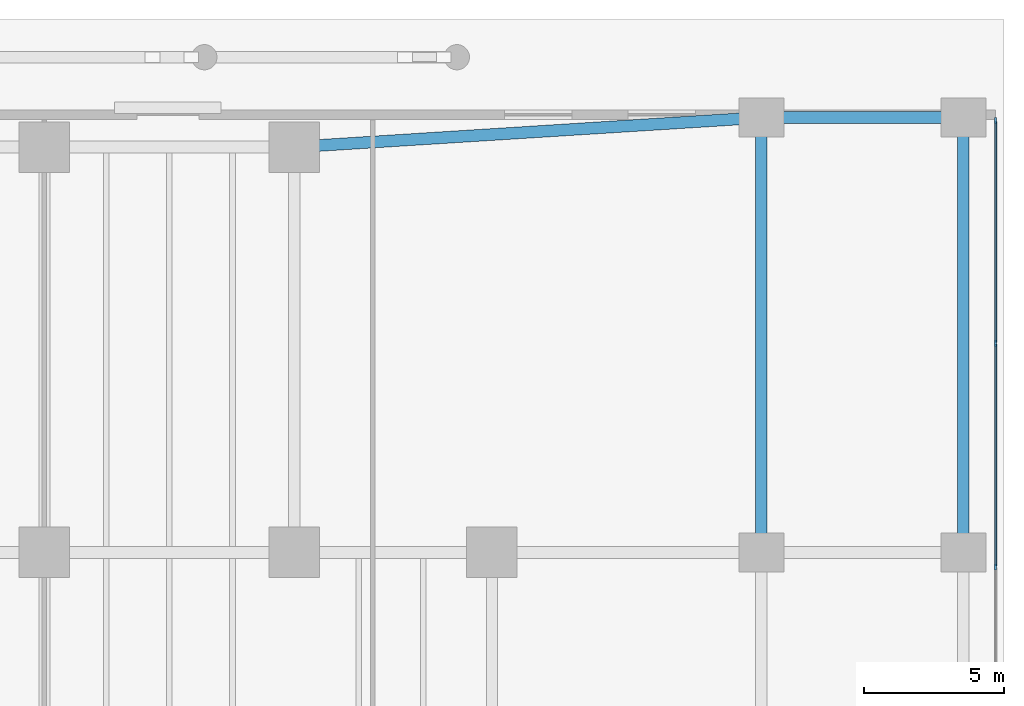
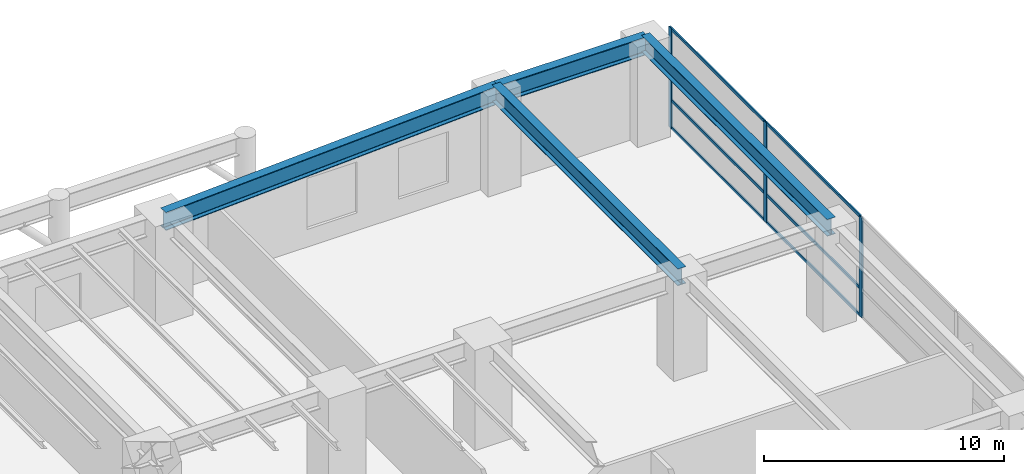
# One storey, part 7 of 19: 9 members, 4 beams, 1 element without a shape of its own.
"""IFC4 building model written with IfcOpenShell, lengths in metres."""

from ifc_helpers import new_model, si_unit, direction, frame, origin, origin_2d, place, context, subcontext, project, spatial, rectangle, i_section, extrude, material, layer, layer_set, material_profile, profile_set, type_object, element, aggregate, save


model = new_model("IFC4")

# Units and contexts
model_context = context("Model", 3, precision=1e-05, world=origin(), true_north=direction((0.0, 1.0)))
body_context = subcontext(model_context, "Body", "Model", "MODEL_VIEW")
ifc_project = project(units=[si_unit("LENGTHUNIT", "METRE"), si_unit("AREAUNIT", "SQUARE_METRE"), si_unit("VOLUMEUNIT", "CUBIC_METRE"), si_unit("PLANEANGLEUNIT", "RADIAN"), si_unit("MASSUNIT", "GRAM", prefix="KILO")], contexts=[model_context])

# Site, building, storey
site_placement = place(None, origin())
site = spatial("IfcSite", under=ifc_project, at=site_placement, CompositionType="ELEMENT")
building_placement = place(site_placement, origin())
building = spatial("IfcBuilding", under=site, at=building_placement, Name="Qalmaran Belvedere Hotel", CompositionType="ELEMENT")
storey_placement = place(building_placement, origin())
storey = spatial("IfcBuildingStorey", under=building, at=storey_placement, Name="L00", CompositionType="ELEMENT", Elevation=0.0)

# Beams
ifc_material_1 = material(Name="Steel S355JR", Category="steel")
ifc_material_profile_1 = material_profile(ifc_material_1, i_section(OverallWidth=0.419921875, OverallDepth=0.9208984375, WebThickness=0.021240234375, FlangeThickness=0.03662109375, FilletRadius=0.02392578125, at=origin_2d()), Name="W920X387")
ifc_profile_set_1 = profile_set([ifc_material_profile_1], Name="Steel S355JR")
beam_type_1 = type_object("IfcBeamType", Name="BM-PG1-W920X387", PredefinedType="USERDEFINED", material=ifc_profile_set_1)
beam_1_placement = place(storey_placement, frame((53.699951171875, 47.449951171875, 4.639404296875), z_axis=(0.998017287437, 0.0629404002, 0.0), x_axis=(-0.0629404002, 0.998017287437, 0.0)))
element("IfcBeam", 1, at=beam_1_placement, inside=storey, type_object=beam_type_1, Name="L00 Podium Primary Girder GX38", ObjectType="GIRDER", PredefinedType="USERDEFINED", context=body_context, shape_type="SweptSolid", body=[
    extrude(i_section(OverallWidth=0.419921875, OverallDepth=0.9208984375, WebThickness=0.021240234375, FlangeThickness=0.03662109375, FilletRadius=0.02392578125, at=origin_2d()), origin(), (0.0, 0.0, 1.0), 16.68310546875),
])
beam_2_placement = place(storey_placement, frame((70.35009765625, 48.5, 4.639404296875), z_axis=(1.0, 0.0, 0.0), x_axis=(0.0, 1.0, 0.0)))
element("IfcBeam", 2, at=beam_2_placement, inside=storey, type_object=beam_type_1, Name="L00 Podium Primary Girder GX39", ObjectType="GIRDER", PredefinedType="USERDEFINED", context=body_context, shape_type="SweptSolid", body=[
    extrude(i_section(OverallWidth=0.419921875, OverallDepth=0.9208984375, WebThickness=0.021240234375, FlangeThickness=0.03662109375, FilletRadius=0.02392578125, at=origin_2d()), origin(), (0.0, 0.0, 1.0), 7.199951171875),
])
ifc_material_profile_2 = material_profile(ifc_material_1, i_section(OverallWidth=0.39990234375, OverallDepth=0.85498046875, WebThickness=0.018310546875, FlangeThickness=0.029296875, FilletRadius=0.02392578125, at=origin_2d()), Name="W840X299")
ifc_profile_set_2 = profile_set([ifc_material_profile_2], Name="Steel S355JR")
beam_type_2 = type_object("IfcBeamType", Name="BM-PG3-W840X299", PredefinedType="USERDEFINED", material=ifc_profile_set_2)
for number, where, z_axis, x_axis, name in (
    (3, (70.35009765625, 33.0, 4.672607421875), (0.0, 1.0, 0.0), (-1.0, 0.0, 0.0), "L00 Podium Transverse Girder GY73"),
    (4, (77.550048828125, 33.0, 4.672607421875), (0.0, 1.0, 0.0), (-1.0, 0.0, 0.0), "L00 Podium Transverse Girder GY76"),
):
    element("IfcBeam", number, at=place(storey_placement, frame(where, z_axis=z_axis, x_axis=x_axis)), inside=storey, type_object=beam_type_2, Name=name, ObjectType="GIRDER", PredefinedType="USERDEFINED", context=body_context, shape_type="SweptSolid", body=[
        extrude(i_section(OverallWidth=0.39990234375, OverallDepth=0.85498046875, WebThickness=0.018310546875, FlangeThickness=0.029296875, FilletRadius=0.02392578125, at=origin_2d()), origin(), (0.0, 0.0, 1.0), 15.5),
    ])

# Curtain wall, members
ifc_material_2 = material(Name="Anodised Bronze Aluminium", Category="aluminium")
ifc_layer = layer(ifc_material_2, 0.219970703125, Name="Anodised Bronze Aluminium")
ifc_layer_set = layer_set([ifc_layer], Name="Anodised Bronze Aluminium")
curtain_wall_type = type_object("IfcCurtainWallType", Name="CW1-PODIUM-BRONZE", PredefinedType="NOTDEFINED", material=ifc_layer_set)
curtain_wall_placement = place(storey_placement, origin())
curtain_wall = element("IfcCurtainWall", 5, at=curtain_wall_placement, inside=storey, type_object=curtain_wall_type, Name="L00 Curtain Wall CW1", PredefinedType="NOTDEFINED")
ifc_material_profile_3 = material_profile(ifc_material_2, rectangle(XDim=0.074951171875, YDim=0.219970703125, at=origin_2d()), Name="CWM75X220")
ifc_profile_set_3 = profile_set([ifc_material_profile_3], Name="Anodised Bronze Aluminium")
member_type_1 = type_object("IfcMemberType", Name="CWM-75X220", PredefinedType="MULLION", material=ifc_profile_set_3)
member_1_placement = place(storey_placement, frame((78.699951171875, 32.486572265625, 0.0), z_axis=(0.0, 0.0, 1.0), x_axis=(-1.0, 0.0, 0.0)))
member_1 = element("IfcMember", 6, at=member_1_placement, type_object=member_type_1, Name="CW1 mullion 5", PredefinedType="MULLION", context=body_context, shape_type="SweptSolid", body=[
    extrude(rectangle(XDim=0.074951171875, YDim=0.219970703125, at=origin_2d()), origin(), (0.0, 0.0, 1.0), 5.10009765625),
])
member_2_placement = place(storey_placement, frame((78.699951171875, 40.458251953125, 0.0), z_axis=(0.0, 0.0, 1.0), x_axis=(-1.0, 0.0, 0.0)))
member_2 = element("IfcMember", 7, at=member_2_placement, type_object=member_type_1, Name="CW1 mullion 6", PredefinedType="MULLION", context=body_context, shape_type="SweptSolid", body=[
    extrude(rectangle(XDim=0.074951171875, YDim=0.219970703125, at=origin_2d()), origin(), (0.0, 0.0, 1.0), 5.10009765625),
])
member_3_placement = place(storey_placement, frame((78.699951171875, 48.392578125, 0.0), z_axis=(0.0, 0.0, 1.0), x_axis=(-1.0, 0.0, 0.0)))
member_3 = element("IfcMember", 8, at=member_3_placement, type_object=member_type_1, Name="CW1 mullion 7", PredefinedType="MULLION", context=body_context, shape_type="SweptSolid", body=[
    extrude(rectangle(XDim=0.074951171875, YDim=0.219970703125, at=origin_2d()), origin(), (0.0, 0.0, 1.0), 5.10009765625),
])
ifc_material_profile_4 = material_profile(ifc_material_2, rectangle(XDim=0.070068359375, YDim=0.14990234375, at=origin_2d()), Name="CWT70X150")
ifc_profile_set_4 = profile_set([ifc_material_profile_4], Name="Anodised Bronze Aluminium")
member_type_2 = type_object("IfcMemberType", Name="CWT-70X150", PredefinedType="USERDEFINED", material=ifc_profile_set_4)
member_4_placement = place(storey_placement, frame((78.699951171875, 32.524169921875, 0.034912109375), z_axis=(0.0, 1.0, 0.0), x_axis=(-1.0, 0.0, 0.0)))
member_4 = element("IfcMember", 9, at=member_4_placement, type_object=member_type_2, Name="CW1 transom 5.1", ObjectType="TRANSOM", PredefinedType="USERDEFINED", context=body_context, shape_type="SweptSolid", body=[
    extrude(rectangle(XDim=0.070068359375, YDim=0.14990234375, at=origin_2d()), origin(), (0.0, 0.0, 1.0), 7.896728515625),
])
member_5_placement = place(storey_placement, frame((78.699951171875, 32.524169921875, 1.427978515625), z_axis=(0.0, 1.0, 0.0), x_axis=(-1.0, 0.0, 0.0)))
member_5 = element("IfcMember", 10, at=member_5_placement, type_object=member_type_2, Name="CW1 transom 5.2", ObjectType="TRANSOM", PredefinedType="USERDEFINED", context=body_context, shape_type="SweptSolid", body=[
    extrude(rectangle(XDim=0.070068359375, YDim=0.14990234375, at=origin_2d()), origin(), (0.0, 0.0, 1.0), 7.896728515625),
])
member_6_placement = place(storey_placement, frame((78.699951171875, 32.524169921875, 5.06494140625), z_axis=(0.0, 1.0, 0.0), x_axis=(-1.0, 0.0, 0.0)))
member_6 = element("IfcMember", 11, at=member_6_placement, type_object=member_type_2, Name="CW1 transom 5.3", ObjectType="TRANSOM", PredefinedType="USERDEFINED", context=body_context, shape_type="SweptSolid", body=[
    extrude(rectangle(XDim=0.070068359375, YDim=0.14990234375, at=origin_2d()), origin(), (0.0, 0.0, 1.0), 7.896728515625),
])
member_7_placement = place(storey_placement, frame((78.699951171875, 40.495849609375, 0.034912109375), z_axis=(0.0, 1.0, 0.0), x_axis=(-1.0, 0.0, 0.0)))
member_7 = element("IfcMember", 12, at=member_7_placement, type_object=member_type_2, Name="CW1 transom 6.1", ObjectType="TRANSOM", PredefinedType="USERDEFINED", context=body_context, shape_type="SweptSolid", body=[
    extrude(rectangle(XDim=0.070068359375, YDim=0.14990234375, at=origin_2d()), origin(), (0.0, 0.0, 1.0), 7.859130859375),
])
member_8_placement = place(storey_placement, frame((78.699951171875, 40.495849609375, 1.427978515625), z_axis=(0.0, 1.0, 0.0), x_axis=(-1.0, 0.0, 0.0)))
member_8 = element("IfcMember", 13, at=member_8_placement, type_object=member_type_2, Name="CW1 transom 6.2", ObjectType="TRANSOM", PredefinedType="USERDEFINED", context=body_context, shape_type="SweptSolid", body=[
    extrude(rectangle(XDim=0.070068359375, YDim=0.14990234375, at=origin_2d()), origin(), (0.0, 0.0, 1.0), 7.859130859375),
])
member_9_placement = place(storey_placement, frame((78.699951171875, 40.495849609375, 5.06494140625), z_axis=(0.0, 1.0, 0.0), x_axis=(-1.0, 0.0, 0.0)))
member_9 = element("IfcMember", 14, at=member_9_placement, type_object=member_type_2, Name="CW1 transom 6.3", ObjectType="TRANSOM", PredefinedType="USERDEFINED", context=body_context, shape_type="SweptSolid", body=[
    extrude(rectangle(XDim=0.070068359375, YDim=0.14990234375, at=origin_2d()), origin(), (0.0, 0.0, 1.0), 7.859130859375),
])
aggregate(curtain_wall, [member_1, member_2, member_3, member_4, member_5, member_6, member_7, member_8, member_9])

save(model, "model.ifc")
